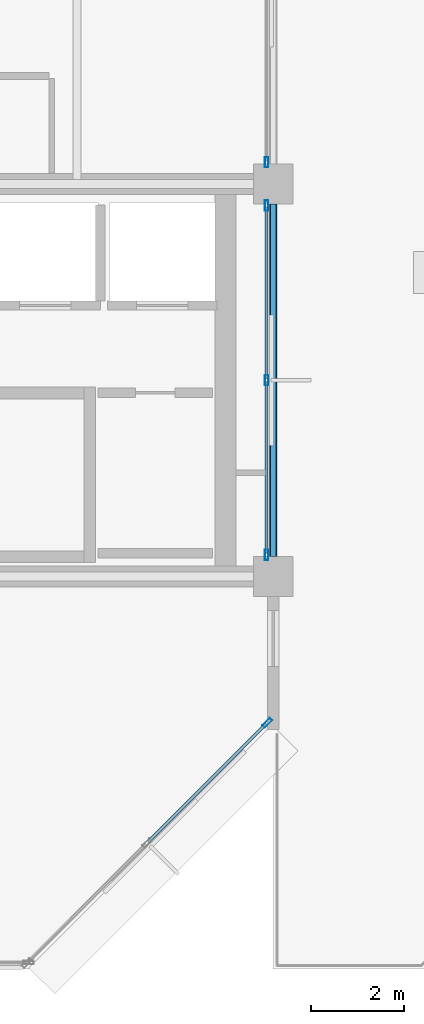
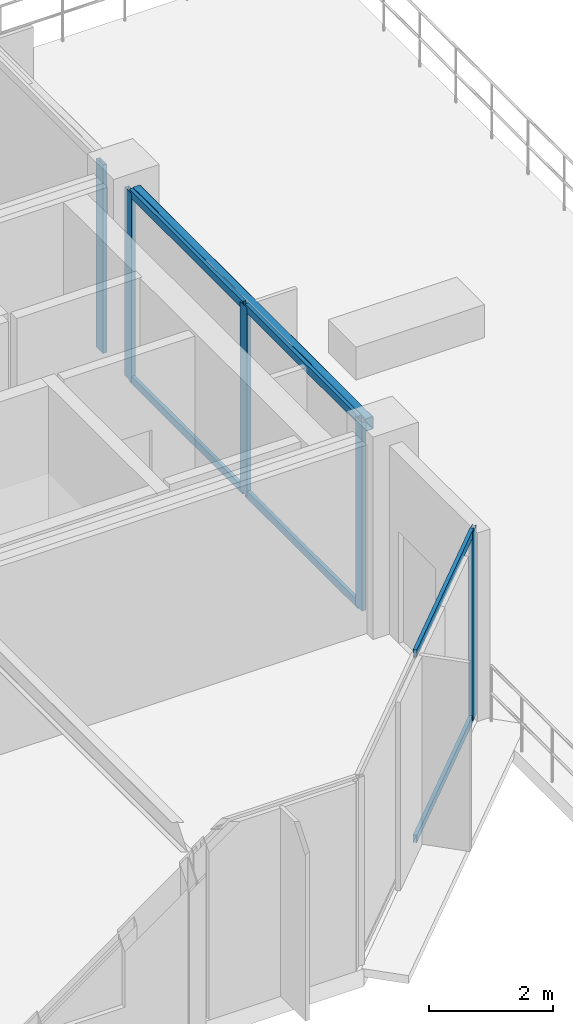
# One storey, part 11 of 23: 11 members, 1 beam, 3 elements without a shape of their own.
"""IFC4 building model written with IfcOpenShell, lengths in metres."""

import ifcopenshell
import ifcopenshell.guid

model = None  # the IFC model being written
_history = None  # IfcOwnerHistory: only IFC2X3 demands one
_inside = {}  # id of a spatial element -> (the spatial element, [elements in it])
_under = {}  # id of a project, library or spatial element -> (it, [spatial elements below it])
_declared = {}  # id of a project -> (the project, [libraries it declares])
_typed = {}  # id of a type object -> (the type object, [elements of that type])
_made_of = {}  # id of a material, layer set ... -> (it, [elements and type objects made of it])


def new_model(schema):
    """Start an empty IFC model of exactly this schema.

    Asked for "IFC4X3", IfcOpenShell would pick the latest addendum, in which some entities
    have other attributes; the version numbers below select the first issue.
    IFC2X3 requires an IfcOwnerHistory on every rooted entity: one is made here for all.
    """
    global model, _history
    if schema == "IFC4X3":
        model = ifcopenshell.file(schema_version=(4, 3, 0, 0))
    else:
        model = ifcopenshell.file(schema=schema)
    _inside.clear()
    _under.clear()
    _declared.clear()
    _typed.clear()
    _made_of.clear()
    _history = None
    if model.schema == "IFC2X3":
        org = make("IfcOrganization", Name="unknown")
        user = make(
            "IfcPersonAndOrganization",
            ThePerson=make("IfcPerson", FamilyName="unknown"),
            TheOrganization=org,
        )
        app = make(
            "IfcApplication",
            ApplicationDeveloper=org,
            Version="unknown",
            ApplicationFullName="unknown",
            ApplicationIdentifier="unknown",
        )
        _history = make(
            "IfcOwnerHistory",
            OwningUser=user,
            OwningApplication=app,
            ChangeAction="ADDED",
            CreationDate=0,
        )
    return model


def make(cls, **values):
    """One entity of the class cls with the attributes given. An attribute that is None is left unset."""
    return model.create_entity(
        cls, **{name: value for name, value in values.items() if value is not None}
    )


def rooted(cls, **values):
    """An entity with a GlobalId (a new one), such as an element, a storey or a relation."""
    return make(cls, GlobalId=ifcopenshell.guid.new(), OwnerHistory=_history, **values)


def si_unit(unit_type, name, prefix=None):
    """IfcSIUnit, for example si_unit("LENGTHUNIT", "METRE", prefix="MILLI")."""
    return make("IfcSIUnit", UnitType=unit_type, Prefix=prefix, Name=name)


def assignment(units):
    """IfcUnitAssignment: the units of a project."""
    return None if units is None else make("IfcUnitAssignment", Units=units)


def point(xyz):
    """IfcCartesianPoint."""
    return None if xyz is None else make("IfcCartesianPoint", Coordinates=xyz)


def direction(xyz):
    """IfcDirection."""
    return None if xyz is None else make("IfcDirection", DirectionRatios=xyz)


def frame(location, z_axis=None, x_axis=None):
    """IfcAxis2Placement3D, a coordinate frame: its origin and axes. An axis left out is left unset."""
    return make(
        "IfcAxis2Placement3D",
        Location=point(location),
        Axis=direction(z_axis),
        RefDirection=direction(x_axis),
    )


def frame_2d(location, x_axis=None):
    """IfcAxis2Placement2D, a coordinate frame in the plane: its origin and x axis."""
    return make(
        "IfcAxis2Placement2D", Location=point(location), RefDirection=direction(x_axis)
    )


def origin():
    """The frame at (0, 0, 0) with its axes left unset."""
    return frame((0.0, 0.0, 0.0))


def origin_2d():
    """The frame at (0, 0) in the plane with its x axis left unset."""
    return frame_2d((0.0, 0.0))


def place(relative_to, where):
    """IfcLocalPlacement: puts the frame where relative to a parent placement (None: the world)."""
    return make(
        "IfcLocalPlacement", PlacementRelTo=relative_to, RelativePlacement=where
    )


def context(
    kind, dimensions, precision=None, world=None, true_north=None, identifier=None
):
    """IfcGeometricRepresentationContext, for example the 3D "Model" context."""
    return make(
        "IfcGeometricRepresentationContext",
        ContextIdentifier=identifier,
        ContextType=kind,
        CoordinateSpaceDimension=dimensions,
        Precision=precision,
        WorldCoordinateSystem=world,
        TrueNorth=true_north,
    )


def subcontext(parent, identifier, kind, view, scale=None):
    """IfcGeometricRepresentationSubContext, for example "Body" below "Model"."""
    return make(
        "IfcGeometricRepresentationSubContext",
        ContextIdentifier=identifier,
        ContextType=kind,
        ParentContext=parent,
        TargetScale=scale,
        TargetView=view,
    )


def project(units=None, contexts=None):
    """IfcProject with its units and contexts."""
    return rooted(
        "IfcProject",
        Name="project",
        RepresentationContexts=contexts,
        UnitsInContext=assignment(units),
    )


def spatial(cls, under=None, at=None, **own):
    """A site, building, storey or space (cls), placed at a placement, below another one or the project."""
    s = rooted(cls, ObjectPlacement=at, **own)
    if under is not None:
        _under.setdefault(under.id(), (under, []))[1].append(s)
    return s


def profile(cls, at=None, kind="AREA", **sizes):
    """A parametric profile (cls). Its sizes go by their IFC names, for example OverallWidth=200.0."""
    return make(cls, ProfileType=kind, Position=at, **sizes)


def hollow_rectangle(**sizes):
    """IfcRectangleHollowProfileDef."""
    return profile("IfcRectangleHollowProfileDef", **sizes)


def extrude(swept, where, along, depth):
    """IfcExtrudedAreaSolid: the profile swept, set in the frame where, extruded along a direction by depth."""
    return make(
        "IfcExtrudedAreaSolid",
        SweptArea=swept,
        Position=where,
        ExtrudedDirection=direction(along),
        Depth=depth,
    )


def shape(context_of_items, identifier, shape_type, items):
    """IfcShapeRepresentation: the items that make up one representation, for example the "Body"."""
    return make(
        "IfcShapeRepresentation",
        ContextOfItems=context_of_items,
        RepresentationIdentifier=identifier,
        RepresentationType=shape_type,
        Items=items,
    )


def material(Name=None, Category=None):
    """IfcMaterial."""
    return make("IfcMaterial", Name=Name, Category=Category)


def layer(
    of_material, thickness, ventilated=None, Name=None, Category=None, Priority=None
):
    """IfcMaterialLayer: one layer of a wall or slab, of a material (None: an air gap)."""
    return make(
        "IfcMaterialLayer",
        Material=of_material,
        LayerThickness=thickness,
        IsVentilated=ventilated,
        Name=Name,
        Category=Category,
        Priority=Priority,
    )


def layer_set(layers, Name=None):
    """IfcMaterialLayerSet."""
    return make("IfcMaterialLayerSet", MaterialLayers=layers, LayerSetName=Name)


def material_profile(
    of_material, cross_section, Name=None, Category=None, Priority=None
):
    """IfcMaterialProfile: a cross section and its material."""
    return make(
        "IfcMaterialProfile",
        Name=Name,
        Material=of_material,
        Profile=cross_section,
        Priority=Priority,
        Category=Category,
    )


def profile_set(profiles, Name=None, composite=None):
    """IfcMaterialProfileSet."""
    return make(
        "IfcMaterialProfileSet",
        Name=Name,
        MaterialProfiles=profiles,
        CompositeProfile=composite,
    )


def made_of(thing, what):
    """Note that an element or type object is made of a material, layer set ...; save() writes the relation."""
    if what is not None:
        _made_of.setdefault(what.id(), (what, []))[1].append(thing)
    return thing


def type_object(cls, material=None, **own):
    """A type object (cls), such as IfcWallType, which elements share."""
    return made_of(rooted(cls, **own), material)


def element(
    cls,
    number,
    at=None,
    inside=None,
    cuts=None,
    type_object=None,
    material=None,
    context=None,
    identifier="Body",
    shape_type=None,
    held_by="IfcProductDefinitionShape",
    body=None,
    shapes=None,
    **own,
):
    """One element of the class cls, such as IfcWall. Its Tag is "e" and its number.

    at: its placement. inside: the storey or other place that contains it. cuts: it is an
    opening in that element (IfcRelVoidsElement). A single representation is given by context,
    identifier, shape_type and body (its items); several are given by shapes. held_by: the class
    of the entity that holds the representations. save() writes the other relations.
    """
    e = rooted(cls, Tag="e%d" % number, ObjectPlacement=at, **own)
    if body is not None:
        shapes = [shape(context, identifier, shape_type, body)]
    if shapes is not None:
        e.Representation = make(held_by, Representations=shapes)
    if inside is not None:
        _inside.setdefault(inside.id(), (inside, []))[1].append(e)
    if cuts is not None:
        rooted(
            "IfcRelVoidsElement", RelatingBuildingElement=cuts, RelatedOpeningElement=e
        )
    if type_object is not None:
        _typed.setdefault(type_object.id(), (type_object, []))[1].append(e)
    return made_of(e, material)


def aggregate(whole, parts):
    """IfcRelAggregates: a whole, such as a stair, and the parts it consists of."""
    return rooted("IfcRelAggregates", RelatingObject=whole, RelatedObjects=parts)


def save(model, path):
    """Write the relations noted so far, then the file.

    IfcRelAggregates (storeys below a building ...), IfcRelContainedInSpatialStructure (elements
    in a storey), IfcRelDefinesByType, IfcRelAssociatesMaterial and IfcRelDeclares: one each for
    every whole, place, type object, material and project.
    """
    for whole, parts in _under.values():
        aggregate(whole, parts)
    for where, things in _inside.values():
        rooted(
            "IfcRelContainedInSpatialStructure",
            RelatedElements=things,
            RelatingStructure=where,
        )
    for kind, things in _typed.values():
        rooted("IfcRelDefinesByType", RelatedObjects=things, RelatingType=kind)
    for what, things in _made_of.values():
        rooted("IfcRelAssociatesMaterial", RelatedObjects=things, RelatingMaterial=what)
    for by, libraries in _declared.values():
        rooted("IfcRelDeclares", RelatingContext=by, RelatedDefinitions=libraries)
    model.write(path)


model = new_model("IFC4")

# Units and contexts
model_context = context("Model", 3, precision=1e-05, world=origin(), true_north=direction((0.0, 1.0)))
body_context = subcontext(model_context, "Body", "Model", "MODEL_VIEW")
ifc_project = project(units=[si_unit("LENGTHUNIT", "METRE"), si_unit("AREAUNIT", "SQUARE_METRE"), si_unit("VOLUMEUNIT", "CUBIC_METRE"), si_unit("PLANEANGLEUNIT", "RADIAN"), si_unit("MASSUNIT", "GRAM", prefix="KILO")], contexts=[model_context])

# Site, building, storey
site_placement = place(None, origin())
site = spatial("IfcSite", under=ifc_project, at=site_placement, CompositionType="ELEMENT")
building_placement = place(site_placement, origin())
building = spatial("IfcBuilding", under=site, at=building_placement, Name="Nerrivon Quay Data Exchange", CompositionType="ELEMENT")
storey_placement = place(building_placement, frame((0.0, 0.0, 286.199951171875)))
storey = spatial("IfcBuildingStorey", under=building, at=storey_placement, Name="L68", CompositionType="ELEMENT", Elevation=286.199951171875)

# Beam
ifc_material_1 = material(Name="Steel Grade C350L0 (350 MPa)", Category="steel")
ifc_material_profile_1 = material_profile(ifc_material_1, hollow_rectangle(XDim=0.14990234375, YDim=0.25, WallThickness=0.009033203125, InnerFilletRadius=0.013427734375, OuterFilletRadius=0.0224609375, at=origin_2d()), Name="250x150x9.0RHS")
ifc_profile_set_1 = profile_set([ifc_material_profile_1], Name="Steel Grade C350L0 (350 MPa)")
beam_type = type_object("IfcBeamType", Name="BM-SP4-250x150RHS", PredefinedType="SPANDREL", material=ifc_profile_set_1)
beam_placement = place(storey_placement, frame((33.60009765625, 8.824951171875, 3.60009765625), z_axis=(0.0, 1.0, 0.0), x_axis=(-1.0, 0.0, 0.0)))
element("IfcBeam", 1, at=beam_placement, inside=storey, type_object=beam_type, Name="L68 NS Girder X=33.6 (8.4..16.8)", PredefinedType="SPANDREL", context=body_context, shape_type="SweptSolid", body=[
    extrude(hollow_rectangle(XDim=0.14990234375, YDim=0.25, WallThickness=0.009033203125, InnerFilletRadius=0.013427734375, OuterFilletRadius=0.0224609375, at=origin_2d()), origin(), (0.0, 0.0, 1.0), 7.550048828125),
])

# Curtain wall, member
ifc_material_2 = material(Name="Anodised aluminium 6063-T6", Category="aluminium")
ifc_layer = layer(ifc_material_2, 0.22998046875)
ifc_layer_set = layer_set([ifc_layer], Name="Anodised aluminium 6063-T6")
curtain_wall_type = type_object("IfcCurtainWallType", Name="CW-SYS-05", PredefinedType="NOTDEFINED", material=ifc_layer_set)
curtain_wall_1_placement = place(storey_placement, origin())
curtain_wall_1 = element("IfcCurtainWall", 2, at=curtain_wall_1_placement, inside=storey, type_object=curtain_wall_type, Name="L68 Unitised Curtain Wall 1", PredefinedType="NOTDEFINED")
ifc_material_profile_2 = material_profile(ifc_material_2, hollow_rectangle(XDim=0.074951171875, YDim=0.219970703125, WallThickness=0.00390625, at=origin_2d()), Name="ALU-MULL-220x75")
ifc_profile_set_2 = profile_set([ifc_material_profile_2], Name="Anodised aluminium 6063-T6")
member_type_1 = type_object("IfcMemberType", Name="CWM-220x75", PredefinedType="MULLION", material=ifc_profile_set_2)
member_1_placement = place(storey_placement, frame((33.474365234375, 5.2724609375, 0.0), z_axis=(0.0, 0.0, 1.0), x_axis=(0.707106781187, -0.707106781187, 0.0)))
member_1 = element("IfcMember", 3, at=member_1_placement, type_object=member_type_1, Name="CW05 mullion 1", PredefinedType="MULLION", context=body_context, shape_type="SweptSolid", body=[
    extrude(hollow_rectangle(XDim=0.074951171875, YDim=0.219970703125, WallThickness=0.00390625, at=origin_2d()), origin(), (0.0, 0.0, 1.0), 3.72509765625),
])

curtain_wall_2_placement = place(storey_placement, origin())
curtain_wall_2 = element("IfcCurtainWall", 4, at=curtain_wall_2_placement, inside=storey, type_object=curtain_wall_type, Name="L68 Unitised Curtain Wall 24", PredefinedType="NOTDEFINED")
member_2_placement = place(storey_placement, frame((33.4599609375, 17.262451171875, 0.0), z_axis=(0.0, 0.0, 1.0), x_axis=(1.0, 0.0, 0.0)))
member_2 = element("IfcMember", 5, at=member_2_placement, type_object=member_type_1, Name="CW05 mullion 3", PredefinedType="MULLION", context=body_context, shape_type="SweptSolid", body=[
    extrude(hollow_rectangle(XDim=0.074951171875, YDim=0.219970703125, WallThickness=0.00390625, at=origin_2d()), origin(), (0.0, 0.0, 1.0), 3.72509765625),
])
aggregate(curtain_wall_2, [member_2])

# Curtain wall, members
curtain_wall_3_placement = place(storey_placement, origin())
curtain_wall_3 = element("IfcCurtainWall", 6, at=curtain_wall_3_placement, inside=storey, type_object=curtain_wall_type, Name="L68 Unitised Curtain Wall 25", PredefinedType="NOTDEFINED")
member_3_placement = place(storey_placement, frame((33.4599609375, 16.33740234375, 0.0), z_axis=(0.0, 0.0, 1.0), x_axis=(1.0, 0.0, 0.0)))
member_3 = element("IfcMember", 7, at=member_3_placement, type_object=member_type_1, Name="CW05 mullion 1", PredefinedType="MULLION", context=body_context, shape_type="SweptSolid", body=[
    extrude(hollow_rectangle(XDim=0.074951171875, YDim=0.219970703125, WallThickness=0.00390625, at=origin_2d()), origin(), (0.0, 0.0, 1.0), 3.72509765625),
])
member_4_placement = place(storey_placement, frame((33.4599609375, 12.60009765625, 0.0), z_axis=(0.0, 0.0, 1.0), x_axis=(1.0, 0.0, 0.0)))
member_4 = element("IfcMember", 8, at=member_4_placement, type_object=member_type_1, Name="CW05 mullion 2", PredefinedType="MULLION", context=body_context, shape_type="SweptSolid", body=[
    extrude(hollow_rectangle(XDim=0.074951171875, YDim=0.219970703125, WallThickness=0.00390625, at=origin_2d()), origin(), (0.0, 0.0, 1.0), 3.72509765625),
])
member_5_placement = place(storey_placement, frame((33.4599609375, 8.862548828125, 0.0), z_axis=(0.0, 0.0, 1.0), x_axis=(1.0, 0.0, 0.0)))
member_5 = element("IfcMember", 9, at=member_5_placement, type_object=member_type_1, Name="CW05 mullion 3", PredefinedType="MULLION", context=body_context, shape_type="SweptSolid", body=[
    extrude(hollow_rectangle(XDim=0.074951171875, YDim=0.219970703125, WallThickness=0.00390625, at=origin_2d()), origin(), (0.0, 0.0, 1.0), 3.72509765625),
])

# Member
ifc_material_profile_3 = material_profile(ifc_material_2, hollow_rectangle(XDim=0.06494140625, YDim=0.14990234375, WallThickness=0.00341796875, at=origin_2d()), Name="ALU-TRAN-150x65")
ifc_profile_set_3 = profile_set([ifc_material_profile_3], Name="Anodised aluminium 6063-T6")
member_type_2 = type_object("IfcMemberType", Name="CWT-150x65", PredefinedType="USERDEFINED", material=ifc_profile_set_3)
member_6_placement = place(storey_placement, frame((33.447998046875, 5.245849609375, 0.032470703125), z_axis=(-0.707141027792, -0.707072532923, 0.0), x_axis=(0.707072532923, -0.707141027792, 0.0)))
member_6 = element("IfcMember", 10, at=member_6_placement, type_object=member_type_2, Name="CW05 transom 1.1", ObjectType="TRANSOM", PredefinedType="USERDEFINED", context=body_context, shape_type="SweptSolid", body=[
    extrude(hollow_rectangle(XDim=0.06494140625, YDim=0.14990234375, WallThickness=0.00341796875, at=origin_2d()), origin(), (0.0, 0.0, 1.0), 3.564453125),
])

member_7_placement = place(storey_placement, frame((33.447998046875, 5.245849609375, 3.692626953125), z_axis=(-0.707141027792, -0.707072532923, 0.0), x_axis=(0.707072532923, -0.707141027792, 0.0)))
member_7 = element("IfcMember", 11, at=member_7_placement, type_object=member_type_2, Name="CW05 transom 1.2", ObjectType="TRANSOM", PredefinedType="USERDEFINED", context=body_context, shape_type="SweptSolid", body=[
    extrude(hollow_rectangle(XDim=0.06494140625, YDim=0.14990234375, WallThickness=0.00341796875, at=origin_2d()), origin(), (0.0, 0.0, 1.0), 3.564453125),
])

aggregate(curtain_wall_1, [member_1, member_6, member_7])

member_8_placement = place(storey_placement, frame((33.4599609375, 16.300048828125, 0.032470703125), z_axis=(0.0, -1.0, 0.0), x_axis=(1.0, 0.0, 0.0)))
member_8 = element("IfcMember", 12, at=member_8_placement, type_object=member_type_2, Name="CW05 transom 1.1", ObjectType="TRANSOM", PredefinedType="USERDEFINED", context=body_context, shape_type="SweptSolid", body=[
    extrude(hollow_rectangle(XDim=0.06494140625, YDim=0.14990234375, WallThickness=0.00341796875, at=origin_2d()), origin(), (0.0, 0.0, 1.0), 3.66259765625),
])

member_9_placement = place(storey_placement, frame((33.4599609375, 16.300048828125, 3.692626953125), z_axis=(0.0, -1.0, 0.0), x_axis=(1.0, 0.0, 0.0)))
member_9 = element("IfcMember", 13, at=member_9_placement, type_object=member_type_2, Name="CW05 transom 1.2", ObjectType="TRANSOM", PredefinedType="USERDEFINED", context=body_context, shape_type="SweptSolid", body=[
    extrude(hollow_rectangle(XDim=0.06494140625, YDim=0.14990234375, WallThickness=0.00341796875, at=origin_2d()), origin(), (0.0, 0.0, 1.0), 3.66259765625),
])

member_10_placement = place(storey_placement, frame((33.4599609375, 12.5625, 0.032470703125), z_axis=(0.0, -1.0, 0.0), x_axis=(1.0, 0.0, 0.0)))
member_10 = element("IfcMember", 14, at=member_10_placement, type_object=member_type_2, Name="CW05 transom 2.1", ObjectType="TRANSOM", PredefinedType="USERDEFINED", context=body_context, shape_type="SweptSolid", body=[
    extrude(hollow_rectangle(XDim=0.06494140625, YDim=0.14990234375, WallThickness=0.00341796875, at=origin_2d()), origin(), (0.0, 0.0, 1.0), 3.66259765625),
])

member_11_placement = place(storey_placement, frame((33.4599609375, 12.5625, 3.692626953125), z_axis=(0.0, -1.0, 0.0), x_axis=(1.0, 0.0, 0.0)))
member_11 = element("IfcMember", 15, at=member_11_placement, type_object=member_type_2, Name="CW05 transom 2.2", ObjectType="TRANSOM", PredefinedType="USERDEFINED", context=body_context, shape_type="SweptSolid", body=[
    extrude(hollow_rectangle(XDim=0.06494140625, YDim=0.14990234375, WallThickness=0.00341796875, at=origin_2d()), origin(), (0.0, 0.0, 1.0), 3.66259765625),
])

aggregate(curtain_wall_3, [member_3, member_4, member_5, member_8, member_9, member_10, member_11])

save(model, "model.ifc")
